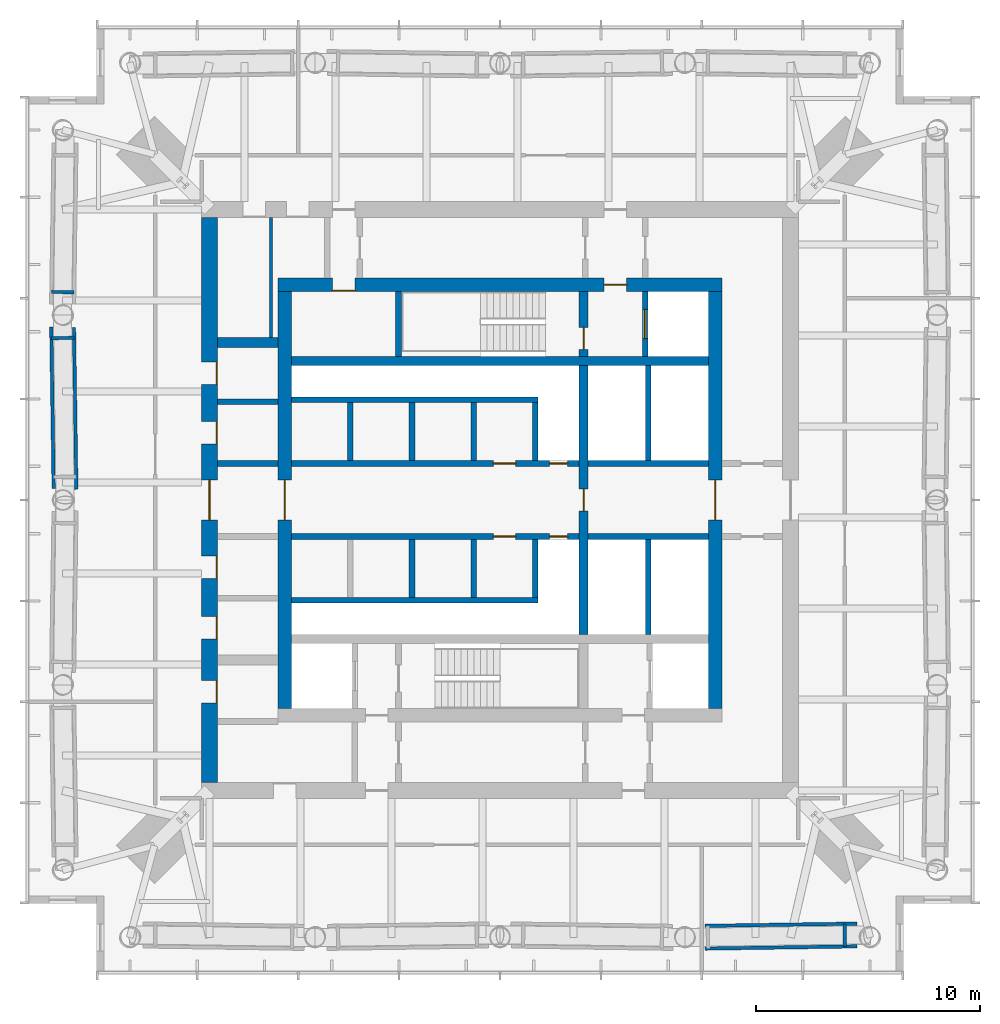
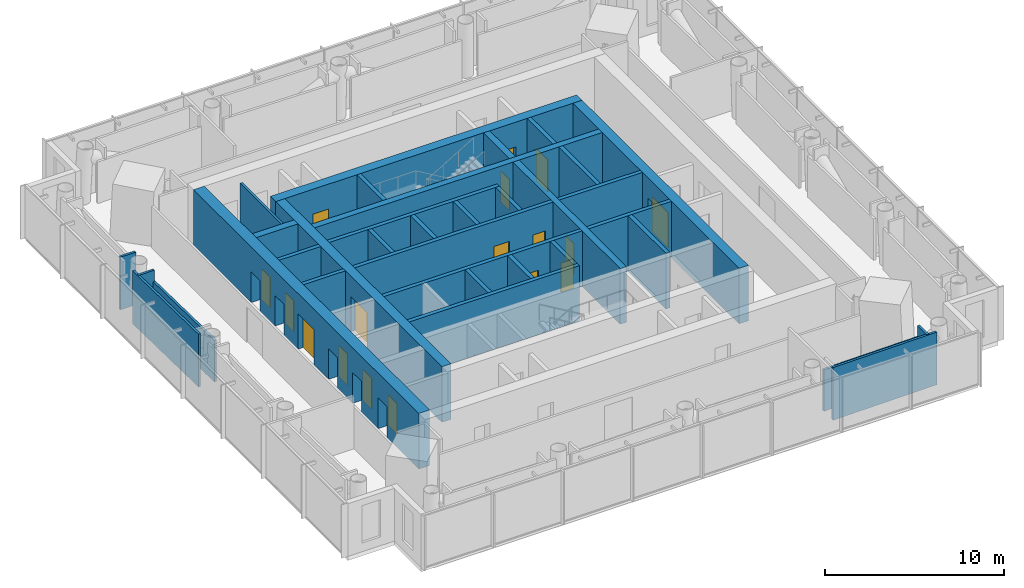
# One storey, part 6 of 9: 35 walls, 17 doors, 17 openings.
"""IFC4 building model written with IfcOpenShell, lengths in metres."""

from ifc_helpers import new_model, si_unit, direction, frame, frame_2d, origin, place, context, subcontext, project, spatial, rectangle, extrude, material, layer, layer_set, type_object, element, fill, save


model = new_model("IFC4")

# Units and contexts
model_context = context("Model", 3, precision=1e-05, world=origin(), true_north=direction((0.0, 1.0)))
body_context = subcontext(model_context, "Body", "Model", "MODEL_VIEW")
ifc_project = project(units=[si_unit("LENGTHUNIT", "METRE"), si_unit("AREAUNIT", "SQUARE_METRE"), si_unit("VOLUMEUNIT", "CUBIC_METRE"), si_unit("PLANEANGLEUNIT", "RADIAN"), si_unit("MASSUNIT", "GRAM", prefix="KILO")], contexts=[model_context])

# Site, building, storey
site_placement = place(None, origin())
site = spatial("IfcSite", under=ifc_project, at=site_placement, CompositionType="ELEMENT")
building_placement = place(site_placement, origin())
building = spatial("IfcBuilding", under=site, at=building_placement, Name="Ostroluk Exchange", CompositionType="ELEMENT")
storey_placement = place(building_placement, frame((0.0, 0.0, 161.60009765625)))
storey = spatial("IfcBuildingStorey", under=building, at=storey_placement, Name="L41", CompositionType="ELEMENT", Elevation=161.60009765625)

# Walls
ifc_material_1 = material(Name="Concrete blockwork", Category="masonry")
ifc_layer_1 = layer(ifc_material_1, 0.14990234375)
ifc_layer_set_1 = layer_set([ifc_layer_1], Name="Blockwork plant room wall 150")
wall_type_1 = type_object("IfcWallType", Name="Blockwork plant room wall 150", PredefinedType="SOLIDWALL", material=ifc_layer_set_1)
wall_1_placement = place(storey_placement, frame((34.78759765625, 53.25, 0.0), z_axis=(0.0, 0.0, 1.0), x_axis=(0.0, 1.0, 0.0)))
element("IfcWall", 1, at=wall_1_placement, inside=storey, type_object=wall_type_1, Name="Core room wall", PredefinedType="SOLIDWALL", context=body_context, shape_type="SweptSolid", body=[
    extrude(rectangle(XDim=5.35009765625, YDim=0.14990234375, at=frame_2d((2.675048828125, 0.0))), origin(), (0.0, 0.0, 1.0), 3.199951171875),
])
ifc_material_2 = material(Name="Concrete C50/60", Category="concrete")
ifc_layer_2 = layer(ifc_material_2, 0.39990234375)
ifc_layer_set_2 = layer_set([ifc_layer_2], Name="Core cross wall 400 C50/60")
wall_type_2 = type_object("IfcWallType", Name="Core cross wall 400 C50/60", PredefinedType="SHEAR", material=ifc_layer_set_2)
wall_2_placement = place(storey_placement, frame((35.699951171875, 52.199951171875, 0.0), z_axis=(0.0, 0.0, 1.0), x_axis=(1.0, 0.0, 0.0)))
element("IfcWall", 2, at=wall_2_placement, inside=storey, type_object=wall_type_2, Name="T1 core wall XN", PredefinedType="SHEAR", context=body_context, shape_type="SweptSolid", body=[
    extrude(rectangle(XDim=18.60009765625, YDim=0.39990234375, at=frame_2d((9.300048828125, 0.0))), origin(), (0.0, 0.0, 1.0), 3.7998046875),
])

# Wall, opening, door
wall_3_placement = place(storey_placement, frame((48.72998046875, 40.0, 0.0), z_axis=(0.0, 0.0, 1.0), x_axis=(0.0, 1.0, 0.0)))
wall_3 = element("IfcWall", 3, at=wall_3_placement, inside=storey, type_object=wall_type_2, Name="T1 core wall YE2", PredefinedType="SHEAR", context=body_context, shape_type="SweptSolid", body=[
    extrude(rectangle(XDim=12.0, YDim=0.39990234375, at=frame_2d((6.0, 0.0))), origin(), (0.0, 0.0, 1.0), 3.7998046875),
])
opening_1_placement = place(wall_3_placement, frame((5.5, 0.0, 0.0)))
opening_1 = element("IfcOpeningElement", 4, at=opening_1_placement, cuts=wall_3, Name="Opening FD60", PredefinedType="OPENING", context=body_context, shape_type="SweptSolid", body=[
    extrude(rectangle(XDim=1.0, YDim=2.10009765625, at=frame_2d((0.5, 1.050048828125))), frame((0.0, 0.2099609375, 0.0), z_axis=(0.0, -1.0, 0.0), x_axis=(1.0, 0.0, 0.0)), (0.0, 0.0, 1.0), 0.419921875),
])
ifc_material_3 = material(Name="Steel", Category="steel")
door_type_1 = type_object("IfcDoorType", Name="Fire door EI 60 1000 x 2100", OperationType="SINGLE_SWING_LEFT", PredefinedType="DOOR", material=ifc_material_3)
door_1_placement = place(opening_1_placement, origin())
door_1 = element("IfcDoor", 5, at=door_1_placement, inside=storey, type_object=door_type_1, Name="Core link door", OperationType="SINGLE_SWING_LEFT", OverallHeight=2.10009765625, OverallWidth=1.0, PredefinedType="DOOR", context=body_context, shape_type="SweptSolid", body=[
    extrude(rectangle(XDim=1.0, YDim=2.10009765625, at=frame_2d((0.5, 1.050048828125))), frame((0.0, 0.02490234375, 0.0), z_axis=(0.0, -1.0, 0.0), x_axis=(1.0, 0.0, 0.0)), (0.0, 0.0, 1.0), 0.050048828125),
])
fill(opening_1, door_1)

wall_4_placement = place(storey_placement, frame((48.72998046875, 52.39990234375, 0.0), z_axis=(0.0, 0.0, 1.0), x_axis=(0.0, 1.0, 0.0)))
wall_4 = element("IfcWall", 6, at=wall_4_placement, inside=storey, type_object=wall_type_2, Name="T1 core wall YE3", PredefinedType="SHEAR", context=body_context, shape_type="SweptSolid", body=[
    extrude(rectangle(XDim=2.900146484375, YDim=0.39990234375, at=frame_2d((1.4501953125, 0.0))), origin(), (0.0, 0.0, 1.0), 3.7998046875),
])
opening_2_placement = place(wall_4_placement, frame((0.300048828125, 0.0, 0.0)))
opening_2 = element("IfcOpeningElement", 7, at=opening_2_placement, cuts=wall_4, Name="Opening FD60", PredefinedType="OPENING", context=body_context, shape_type="SweptSolid", body=[
    extrude(rectangle(XDim=1.0, YDim=2.10009765625, at=frame_2d((0.5, 1.050048828125))), frame((0.0, 0.2099609375, 0.0), z_axis=(0.0, -1.0, 0.0), x_axis=(1.0, 0.0, 0.0)), (0.0, 0.0, 1.0), 0.419921875),
])
door_2_placement = place(opening_2_placement, origin())
door_2 = element("IfcDoor", 8, at=door_2_placement, inside=storey, type_object=door_type_1, Name="Stair T1-S2 door", OperationType="SINGLE_SWING_LEFT", OverallHeight=2.10009765625, OverallWidth=1.0, PredefinedType="DOOR", context=body_context, shape_type="SweptSolid", body=[
    extrude(rectangle(XDim=1.0, YDim=2.10009765625, at=frame_2d((0.5, 1.050048828125))), frame((0.0, 0.02490234375, 0.0), z_axis=(0.0, -1.0, 0.0), x_axis=(1.0, 0.0, 0.0)), (0.0, 0.0, 1.0), 0.050048828125),
])
fill(opening_2, door_2)

# Wall
ifc_material_4 = material(Name="Concrete C40/50", Category="concrete")
ifc_layer_3 = layer(ifc_material_4, 0.25)
ifc_layer_set_3 = layer_set([ifc_layer_3], Name="Core shaft wall 250")
wall_type_3 = type_object("IfcWallType", Name="Core shaft wall 250", PredefinedType="SHEAR", material=ifc_layer_set_3)
wall_5_placement = place(storey_placement, frame((40.47509765625, 52.39990234375, 0.0), z_axis=(0.0, 0.0, 1.0), x_axis=(0.0, 1.0, 0.0)))
element("IfcWall", 9, at=wall_5_placement, inside=storey, type_object=wall_type_3, Name="Stair shaft wall", PredefinedType="SHEAR", context=body_context, shape_type="SweptSolid", body=[
    extrude(rectangle(XDim=2.900146484375, YDim=0.25, at=frame_2d((1.4501953125, 0.0))), origin(), (0.0, 0.0, 1.0), 3.7998046875),
])

# Wall, opening, door
wall_6_placement = place(storey_placement, frame((51.47509765625, 52.39990234375, 0.0), z_axis=(0.0, 0.0, 1.0), x_axis=(0.0, 1.0, 0.0)))
wall_6 = element("IfcWall", 10, at=wall_6_placement, inside=storey, type_object=wall_type_3, Name="Firefighting lift shaft wall", PredefinedType="SHEAR", context=body_context, shape_type="SweptSolid", body=[
    extrude(rectangle(XDim=2.900146484375, YDim=0.25, at=frame_2d((1.4501953125, 0.0))), origin(), (0.0, 0.0, 1.0), 3.7998046875),
])
opening_3_placement = place(wall_6_placement, frame((0.800048828125, 0.0, 0.0)))
opening_3 = element("IfcOpeningElement", 11, at=opening_3_placement, cuts=wall_6, Name="Opening LD2", PredefinedType="OPENING", context=body_context, shape_type="SweptSolid", body=[
    extrude(rectangle(XDim=1.300048828125, YDim=2.199951171875, at=frame_2d((0.64990234375, 1.10009765625))), frame((0.0, 0.135009765625, 0.0), z_axis=(0.0, -1.0, 0.0), x_axis=(1.0, 0.0, 0.0)), (0.0, 0.0, 1.0), 0.27001953125),
])
ifc_material_5 = material(Name="Stainless steel", Category="steel")
door_type_2 = type_object("IfcDoorType", Name="Lift landing door E 60 1300 x 2200", OperationType="DOUBLE_DOOR_SLIDING", PredefinedType="DOOR", material=ifc_material_5)
door_3_placement = place(opening_3_placement, origin())
door_3 = element("IfcDoor", 12, at=door_3_placement, inside=storey, type_object=door_type_2, Name="Lift FL2 landing door", OperationType="DOUBLE_DOOR_SLIDING", OverallHeight=2.199951171875, OverallWidth=1.300048828125, PredefinedType="DOOR", context=body_context, shape_type="SweptSolid", body=[
    extrude(rectangle(XDim=1.300048828125, YDim=2.199951171875, at=frame_2d((0.64990234375, 1.10009765625))), frame((0.0, 0.02490234375, 0.0), z_axis=(0.0, -1.0, 0.0), x_axis=(1.0, 0.0, 0.0)), (0.0, 0.0, 1.0), 0.050048828125),
])
fill(opening_3, door_3)

# Walls
for number, where, z_axis, x_axis, name in (
    (13, (38.324951171875, 47.75, 0.0), (0.0, 0.0, 1.0), (0.0, 1.0, 0.0), "Lift shaft wall"),
    (14, (41.074951171875, 47.75, 0.0), (0.0, 0.0, 1.0), (0.0, 1.0, 0.0), "Lift shaft wall"),
    (15, (43.824951171875, 47.75, 0.0), (0.0, 0.0, 1.0), (0.0, 1.0, 0.0), "Lift shaft wall"),
    (16, (46.574951171875, 47.75, 0.0), (0.0, 0.0, 1.0), (0.0, 1.0, 0.0), "Lift shaft wall"),
):
    element("IfcWall", number, at=place(storey_placement, frame(where, z_axis=z_axis, x_axis=x_axis)), inside=storey, type_object=wall_type_3, Name=name, PredefinedType="SHEAR", context=body_context, shape_type="SweptSolid", body=[
        extrude(rectangle(XDim=2.60009765625, YDim=0.25, at=frame_2d((1.300048828125, 0.0))), origin(), (0.0, 0.0, 1.0), 3.7998046875),
    ])
wall_7_placement = place(storey_placement, frame((35.699951171875, 50.47509765625, 0.0), z_axis=(0.0, 0.0, 1.0), x_axis=(1.0, 0.0, 0.0)))
element("IfcWall", 17, at=wall_7_placement, inside=storey, type_object=wall_type_3, Name="Lift shaft wall", PredefinedType="SHEAR", context=body_context, shape_type="SweptSolid", body=[
    extrude(rectangle(XDim=11.0, YDim=0.25, at=frame_2d((5.5, 0.0))), origin(), (0.0, 0.0, 1.0), 3.7998046875),
])

# Wall, openings, doors
wall_8_placement = place(storey_placement, frame((35.699951171875, 47.625, 0.0), z_axis=(0.0, 0.0, 1.0), x_axis=(1.0, 0.0, 0.0)))
wall_8 = element("IfcWall", 18, at=wall_8_placement, inside=storey, type_object=wall_type_3, Name="Lift shaft front wall", PredefinedType="SHEAR", context=body_context, shape_type="SweptSolid", body=[
    extrude(rectangle(XDim=12.830078125, YDim=0.25, at=frame_2d((6.4150390625, 0.0))), origin(), (0.0, 0.0, 1.0), 3.7998046875),
])
opening_4_placement = place(wall_8_placement, frame((9.0, 0.0, 0.0)))
opening_4 = element("IfcOpeningElement", 19, at=opening_4_placement, cuts=wall_8, Name="Opening FD60", PredefinedType="OPENING", context=body_context, shape_type="SweptSolid", body=[
    extrude(rectangle(XDim=1.0, YDim=2.10009765625, at=frame_2d((0.5, 1.050048828125))), frame((0.0, 0.135009765625, 0.0), z_axis=(0.0, -1.0, 0.0), x_axis=(1.0, 0.0, 0.0)), (0.0, 0.0, 1.0), 0.27001953125),
])
opening_5_placement = place(wall_8_placement, frame((11.514892578125, 0.0, 0.0)))
opening_5 = element("IfcOpeningElement", 20, at=opening_5_placement, cuts=wall_8, Name="Opening RD60", PredefinedType="OPENING", context=body_context, shape_type="SweptSolid", body=[
    extrude(rectangle(XDim=0.800048828125, YDim=2.0, at=frame_2d((0.39990234375, 1.0))), frame((0.0, 0.135009765625, 0.0), z_axis=(0.0, -1.0, 0.0), x_axis=(1.0, 0.0, 0.0)), (0.0, 0.0, 1.0), 0.27001953125),
])
door_4_placement = place(opening_4_placement, origin())
door_4 = element("IfcDoor", 21, at=door_4_placement, inside=storey, type_object=door_type_1, Name="Core room door", OperationType="SINGLE_SWING_RIGHT", OverallHeight=2.10009765625, OverallWidth=1.0, PredefinedType="DOOR", context=body_context, shape_type="SweptSolid", body=[
    extrude(rectangle(XDim=1.0, YDim=2.10009765625, at=frame_2d((0.5, 1.050048828125))), frame((0.0, 0.02490234375, 0.0), z_axis=(0.0, -1.0, 0.0), x_axis=(1.0, 0.0, 0.0)), (0.0, 0.0, 1.0), 0.050048828125),
])
fill(opening_4, door_4)
ifc_material_6 = material(Name="Steel", Category="steel")
door_type_3 = type_object("IfcDoorType", Name="Riser access door EI 60 800 x 2000", OperationType="SINGLE_SWING_LEFT", PredefinedType="DOOR", material=ifc_material_6)
door_5_placement = place(opening_5_placement, origin())
door_5 = element("IfcDoor", 22, at=door_5_placement, inside=storey, type_object=door_type_3, Name="Riser access door", OperationType="SINGLE_SWING_RIGHT", OverallHeight=2.0, OverallWidth=0.800048828125, PredefinedType="DOOR", context=body_context, shape_type="SweptSolid", body=[
    extrude(rectangle(XDim=0.800048828125, YDim=2.0, at=frame_2d((0.39990234375, 1.0))), frame((0.0, 0.02490234375, 0.0), z_axis=(0.0, -1.0, 0.0), x_axis=(1.0, 0.0, 0.0)), (0.0, 0.0, 1.0), 0.050048828125),
])
fill(opening_5, door_5)

# Walls
for number, where, z_axis, x_axis, name in (
    (23, (41.074951171875, 44.25, 0.0), (0.0, 0.0, 1.0), (0.0, -1.0, 0.0), "Lift shaft wall"),
    (24, (43.824951171875, 44.25, 0.0), (0.0, 0.0, 1.0), (0.0, -1.0, 0.0), "Lift shaft wall"),
    (25, (46.574951171875, 44.25, 0.0), (0.0, 0.0, 1.0), (0.0, -1.0, 0.0), "Lift shaft wall"),
):
    element("IfcWall", number, at=place(storey_placement, frame(where, z_axis=z_axis, x_axis=x_axis)), inside=storey, type_object=wall_type_3, Name=name, PredefinedType="SHEAR", context=body_context, shape_type="SweptSolid", body=[
        extrude(rectangle(XDim=2.60009765625, YDim=0.25, at=frame_2d((1.300048828125, 0.0))), origin(), (0.0, 0.0, 1.0), 3.7998046875),
    ])
wall_9_placement = place(storey_placement, frame((35.699951171875, 41.52490234375, 0.0), z_axis=(0.0, 0.0, 1.0), x_axis=(1.0, 0.0, 0.0)))
element("IfcWall", 26, at=wall_9_placement, inside=storey, type_object=wall_type_3, Name="Lift shaft wall", PredefinedType="SHEAR", context=body_context, shape_type="SweptSolid", body=[
    extrude(rectangle(XDim=11.0, YDim=0.25, at=frame_2d((5.5, 0.0))), origin(), (0.0, 0.0, 1.0), 3.7998046875),
])

# Wall, openings, doors
wall_10_placement = place(storey_placement, frame((35.699951171875, 44.375, 0.0), z_axis=(0.0, 0.0, 1.0), x_axis=(1.0, 0.0, 0.0)))
wall_10 = element("IfcWall", 27, at=wall_10_placement, inside=storey, type_object=wall_type_3, Name="Lift shaft front wall", PredefinedType="SHEAR", context=body_context, shape_type="SweptSolid", body=[
    extrude(rectangle(XDim=12.830078125, YDim=0.25, at=frame_2d((6.4150390625, 0.0))), origin(), (0.0, 0.0, 1.0), 3.7998046875),
])
opening_6_placement = place(wall_10_placement, frame((9.0, 0.0, 0.0)))
opening_6 = element("IfcOpeningElement", 28, at=opening_6_placement, cuts=wall_10, Name="Opening FD60", PredefinedType="OPENING", context=body_context, shape_type="SweptSolid", body=[
    extrude(rectangle(XDim=1.0, YDim=2.10009765625, at=frame_2d((0.5, 1.050048828125))), frame((0.0, 0.135009765625, 0.0), z_axis=(0.0, -1.0, 0.0), x_axis=(1.0, 0.0, 0.0)), (0.0, 0.0, 1.0), 0.27001953125),
])
opening_7_placement = place(wall_10_placement, frame((11.514892578125, 0.0, 0.0)))
opening_7 = element("IfcOpeningElement", 29, at=opening_7_placement, cuts=wall_10, Name="Opening RD60", PredefinedType="OPENING", context=body_context, shape_type="SweptSolid", body=[
    extrude(rectangle(XDim=0.800048828125, YDim=2.0, at=frame_2d((0.39990234375, 1.0))), frame((0.0, 0.135009765625, 0.0), z_axis=(0.0, -1.0, 0.0), x_axis=(1.0, 0.0, 0.0)), (0.0, 0.0, 1.0), 0.27001953125),
])
door_6_placement = place(opening_6_placement, origin())
door_6 = element("IfcDoor", 30, at=door_6_placement, inside=storey, type_object=door_type_1, Name="Core room door", OperationType="SINGLE_SWING_RIGHT", OverallHeight=2.10009765625, OverallWidth=1.0, PredefinedType="DOOR", context=body_context, shape_type="SweptSolid", body=[
    extrude(rectangle(XDim=1.0, YDim=2.10009765625, at=frame_2d((0.5, 1.050048828125))), frame((0.0, 0.02490234375, 0.0), z_axis=(0.0, -1.0, 0.0), x_axis=(1.0, 0.0, 0.0)), (0.0, 0.0, 1.0), 0.050048828125),
])
fill(opening_6, door_6)
door_7_placement = place(opening_7_placement, origin())
door_7 = element("IfcDoor", 31, at=door_7_placement, inside=storey, type_object=door_type_3, Name="Riser access door", OperationType="SINGLE_SWING_RIGHT", OverallHeight=2.0, OverallWidth=0.800048828125, PredefinedType="DOOR", context=body_context, shape_type="SweptSolid", body=[
    extrude(rectangle(XDim=0.800048828125, YDim=2.0, at=frame_2d((0.39990234375, 1.0))), frame((0.0, 0.02490234375, 0.0), z_axis=(0.0, -1.0, 0.0), x_axis=(1.0, 0.0, 0.0)), (0.0, 0.0, 1.0), 0.050048828125),
])
fill(opening_7, door_7)

# Walls
wall_11_placement = place(storey_placement, frame((51.614990234375, 47.75, 0.0), z_axis=(0.0, 0.0, 1.0), x_axis=(0.0, 1.0, 0.0)))
element("IfcWall", 32, at=wall_11_placement, inside=storey, type_object=wall_type_3, Name="Lift shaft wall", PredefinedType="SHEAR", context=body_context, shape_type="SweptSolid", body=[
    extrude(rectangle(XDim=4.25, YDim=0.25, at=frame_2d((2.125, 0.0))), origin(), (0.0, 0.0, 1.0), 3.7998046875),
])
wall_12_placement = place(storey_placement, frame((48.929931640625, 47.625, 0.0), z_axis=(0.0, 0.0, 1.0), x_axis=(1.0, 0.0, 0.0)))
element("IfcWall", 33, at=wall_12_placement, inside=storey, type_object=wall_type_3, Name="Lift shaft front wall", PredefinedType="SHEAR", context=body_context, shape_type="SweptSolid", body=[
    extrude(rectangle(XDim=5.3701171875, YDim=0.25, at=frame_2d((2.68505859375, 0.0))), origin(), (0.0, 0.0, 1.0), 3.7998046875),
])
wall_13_placement = place(storey_placement, frame((51.614990234375, 44.25, 0.0), z_axis=(0.0, 0.0, 1.0), x_axis=(0.0, -1.0, 0.0)))
element("IfcWall", 34, at=wall_13_placement, inside=storey, type_object=wall_type_3, Name="Lift shaft wall", PredefinedType="SHEAR", context=body_context, shape_type="SweptSolid", body=[
    extrude(rectangle(XDim=4.25, YDim=0.25, at=frame_2d((2.125, 0.0))), origin(), (0.0, 0.0, 1.0), 3.7998046875),
])
wall_14_placement = place(storey_placement, frame((48.929931640625, 44.375, 0.0), z_axis=(0.0, 0.0, 1.0), x_axis=(1.0, 0.0, 0.0)))
element("IfcWall", 35, at=wall_14_placement, inside=storey, type_object=wall_type_3, Name="Lift shaft front wall", PredefinedType="SHEAR", context=body_context, shape_type="SweptSolid", body=[
    extrude(rectangle(XDim=5.3701171875, YDim=0.25, at=frame_2d((2.68505859375, 0.0))), origin(), (0.0, 0.0, 1.0), 3.7998046875),
])
for number, where, z_axis, x_axis, name in (
    (36, (32.39990234375, 47.625, 0.0), (0.0, 0.0, 1.0), (1.0, 0.0, 0.0), "Lift shaft wall"),
    (37, (32.39990234375, 50.375, 0.0), (0.0, 0.0, 1.0), (1.0, 0.0, 0.0), "Lift shaft wall"),
):
    element("IfcWall", number, at=place(storey_placement, frame(where, z_axis=z_axis, x_axis=x_axis)), inside=storey, type_object=wall_type_3, Name=name, PredefinedType="SHEAR", context=body_context, shape_type="SweptSolid", body=[
        extrude(rectangle(XDim=2.7001953125, YDim=0.25, at=frame_2d((1.35009765625, 0.0))), origin(), (0.0, 0.0, 1.0), 3.7998046875),
    ])
wall_15_placement = place(storey_placement, frame((32.39990234375, 53.02490234375, 0.0), z_axis=(0.0, 0.0, 1.0), x_axis=(1.0, 0.0, 0.0)))
element("IfcWall", 38, at=wall_15_placement, inside=storey, type_object=wall_type_3, Name="Lift shaft wall", PredefinedType="SHEAR", context=body_context, shape_type="SweptSolid", body=[
    extrude(rectangle(XDim=2.7001953125, YDim=0.449951171875, at=frame_2d((1.35009765625, 0.0))), origin(), (0.0, 0.0, 1.0), 3.7998046875),
])

# Wall, openings, doors
ifc_material_7 = material(Name="Concrete C50/60", Category="concrete")
ifc_layer_4 = layer(ifc_material_7, 0.60009765625)
ifc_layer_set_4 = layer_set([ifc_layer_4], Name="Core wall 600 C50/60")
wall_type_4 = type_object("IfcWallType", Name="Core wall 600 C50/60", PredefinedType="SHEAR", material=ifc_layer_set_4)
wall_16_placement = place(storey_placement, frame((35.10009765625, 55.60009765625, 0.0), z_axis=(0.0, 0.0, 1.0), x_axis=(1.0, 0.0, 0.0)))
wall_16 = element("IfcWall", 39, at=wall_16_placement, inside=storey, type_object=wall_type_4, Name="T1 core wall N", PredefinedType="SHEAR", context=body_context, shape_type="SweptSolid", body=[
    extrude(rectangle(XDim=19.7998046875, YDim=0.60009765625, at=frame_2d((9.89990234375, 0.0))), origin(), (0.0, 0.0, 1.0), 3.7998046875),
])
opening_8_placement = place(wall_16_placement, frame((14.5400390625, 0.0, 0.0)))
opening_8 = element("IfcOpeningElement", 40, at=opening_8_placement, cuts=wall_16, Name="Opening FD60", PredefinedType="OPENING", context=body_context, shape_type="SweptSolid", body=[
    extrude(rectangle(XDim=1.0, YDim=2.10009765625, at=frame_2d((0.5, 1.050048828125))), frame((0.0, 0.31005859375, 0.0), z_axis=(0.0, -1.0, 0.0), x_axis=(1.0, 0.0, 0.0)), (0.0, 0.0, 1.0), 0.6201171875),
])
opening_9_placement = place(wall_16_placement, frame((2.425048828125, 0.0, 0.0)))
opening_9 = element("IfcOpeningElement", 41, at=opening_9_placement, cuts=wall_16, Name="Opening FD60", PredefinedType="OPENING", context=body_context, shape_type="SweptSolid", body=[
    extrude(rectangle(XDim=1.0, YDim=2.10009765625, at=frame_2d((0.5, 1.050048828125))), frame((0.0, 0.31005859375, 0.0), z_axis=(0.0, -1.0, 0.0), x_axis=(1.0, 0.0, 0.0)), (0.0, 0.0, 1.0), 0.6201171875),
])
door_8_placement = place(opening_8_placement, origin())
door_8 = element("IfcDoor", 42, at=door_8_placement, inside=storey, type_object=door_type_1, Name="Firefighting lobby door", OperationType="SINGLE_SWING_RIGHT", OverallHeight=2.10009765625, OverallWidth=1.0, PredefinedType="DOOR", context=body_context, shape_type="SweptSolid", body=[
    extrude(rectangle(XDim=1.0, YDim=2.10009765625, at=frame_2d((0.5, 1.050048828125))), frame((0.0, 0.02490234375, 0.0), z_axis=(0.0, -1.0, 0.0), x_axis=(1.0, 0.0, 0.0)), (0.0, 0.0, 1.0), 0.050048828125),
])
fill(opening_8, door_8)
door_9_placement = place(opening_9_placement, origin())
door_9 = element("IfcDoor", 43, at=door_9_placement, inside=storey, type_object=door_type_1, Name="Plant control room door", OperationType="SINGLE_SWING_LEFT", OverallHeight=2.10009765625, OverallWidth=1.0, PredefinedType="DOOR", context=body_context, shape_type="SweptSolid", body=[
    extrude(rectangle(XDim=1.0, YDim=2.10009765625, at=frame_2d((0.5, 1.050048828125))), frame((0.0, -0.23974609375, 0.0), z_axis=(0.0, -1.0, 0.0), x_axis=(1.0, 0.0, 0.0)), (0.0, 0.0, 1.0), 0.050048828125),
])
fill(opening_9, door_9)

# Wall, opening, door
wall_17_placement = place(storey_placement, frame((35.39990234375, 36.699951171875, 0.0), z_axis=(0.0, 0.0, 1.0), x_axis=(0.0, 1.0, 0.0)))
wall_17 = element("IfcWall", 44, at=wall_17_placement, inside=storey, type_object=wall_type_4, Name="T1 core wall W", PredefinedType="SHEAR", context=body_context, shape_type="SweptSolid", body=[
    extrude(rectangle(XDim=18.60009765625, YDim=0.60009765625, at=frame_2d((9.300048828125, 0.0))), origin(), (0.0, 0.0, 1.0), 3.7998046875),
])
opening_10_placement = place(wall_17_placement, frame((8.39990234375, 0.0, 0.0)))
opening_10 = element("IfcOpeningElement", 45, at=opening_10_placement, cuts=wall_17, Name="Opening FD30D", PredefinedType="OPENING", context=body_context, shape_type="SweptSolid", body=[
    extrude(rectangle(XDim=1.800048828125, YDim=2.39990234375, at=frame_2d((0.89990234375, 1.199951171875))), frame((0.0, 0.31005859375, 0.0), z_axis=(0.0, -1.0, 0.0), x_axis=(1.0, 0.0, 0.0)), (0.0, 0.0, 1.0), 0.6201171875),
])
ifc_material_8 = material(Name="Timber", Category="wood")
door_type_4 = type_object("IfcDoorType", Name="Lobby double door EI 30 1800 x 2400", OperationType="DOUBLE_DOOR_SINGLE_SWING", PredefinedType="DOOR", material=ifc_material_8)
door_10_placement = place(opening_10_placement, origin())
door_10 = element("IfcDoor", 46, at=door_10_placement, inside=storey, type_object=door_type_4, Name="Lift lobby doors", OperationType="DOUBLE_DOOR_SINGLE_SWING", OverallHeight=2.39990234375, OverallWidth=1.800048828125, PredefinedType="DOOR", context=body_context, shape_type="SweptSolid", body=[
    extrude(rectangle(XDim=1.800048828125, YDim=2.39990234375, at=frame_2d((0.89990234375, 1.199951171875))), frame((0.0, 0.02490234375, 0.0), z_axis=(0.0, -1.0, 0.0), x_axis=(1.0, 0.0, 0.0)), (0.0, 0.0, 1.0), 0.050048828125),
])
fill(opening_10, door_10)

wall_18_placement = place(storey_placement, frame((54.60009765625, 36.699951171875, 0.0), z_axis=(0.0, 0.0, 1.0), x_axis=(0.0, 1.0, 0.0)))
wall_18 = element("IfcWall", 47, at=wall_18_placement, inside=storey, type_object=wall_type_4, Name="T1 core wall E", PredefinedType="SHEAR", context=body_context, shape_type="SweptSolid", body=[
    extrude(rectangle(XDim=18.60009765625, YDim=0.60009765625, at=frame_2d((9.300048828125, 0.0))), origin(), (0.0, 0.0, 1.0), 3.7998046875),
])
opening_11_placement = place(wall_18_placement, frame((8.39990234375, 0.0, 0.0)))
opening_11 = element("IfcOpeningElement", 48, at=opening_11_placement, cuts=wall_18, Name="Opening FD30D", PredefinedType="OPENING", context=body_context, shape_type="SweptSolid", body=[
    extrude(rectangle(XDim=1.800048828125, YDim=2.39990234375, at=frame_2d((0.89990234375, 1.199951171875))), frame((0.0, 0.31005859375, 0.0), z_axis=(0.0, -1.0, 0.0), x_axis=(1.0, 0.0, 0.0)), (0.0, 0.0, 1.0), 0.6201171875),
])
door_11_placement = place(opening_11_placement, origin())
door_11 = element("IfcDoor", 49, at=door_11_placement, inside=storey, type_object=door_type_4, Name="Lift lobby doors", OperationType="DOUBLE_DOOR_SINGLE_SWING", OverallHeight=2.39990234375, OverallWidth=1.800048828125, PredefinedType="DOOR", context=body_context, shape_type="SweptSolid", body=[
    extrude(rectangle(XDim=1.800048828125, YDim=2.39990234375, at=frame_2d((0.89990234375, 1.199951171875))), frame((0.0, 0.02490234375, 0.0), z_axis=(0.0, -1.0, 0.0), x_axis=(1.0, 0.0, 0.0)), (0.0, 0.0, 1.0), 0.050048828125),
])
fill(opening_11, door_11)

# Wall, openings, doors
ifc_material_9 = material(Name="Concrete C50/60", Category="concrete")
ifc_layer_5 = layer(ifc_material_9, 0.699951171875)
ifc_layer_set_5 = layer_set([ifc_layer_5], Name="Core wall 700 C50/60")
wall_type_5 = type_object("IfcWallType", Name="Core wall 700 C50/60", PredefinedType="SHEAR", material=ifc_layer_set_5)
wall_19_placement = place(storey_placement, frame((32.050048828125, 33.39990234375, 0.0), z_axis=(0.0, 0.0, 1.0), x_axis=(0.0, 1.0, 0.0)))
wall_19 = element("IfcWall", 50, at=wall_19_placement, inside=storey, type_object=wall_type_5, Name="T1 core wall RW", PredefinedType="SHEAR", context=body_context, shape_type="SweptSolid", body=[
    extrude(rectangle(XDim=25.2001953125, YDim=0.699951171875, at=frame_2d((12.60009765625, 0.0))), origin(), (0.0, 0.0, 1.0), 3.7998046875),
])
opening_12_placement = place(wall_19_placement, frame((11.699951171875, 0.0, 0.0)))
opening_12 = element("IfcOpeningElement", 51, at=opening_12_placement, cuts=wall_19, Name="Opening FD30D", PredefinedType="OPENING", context=body_context, shape_type="SweptSolid", body=[
    extrude(rectangle(XDim=1.800048828125, YDim=2.39990234375, at=frame_2d((0.89990234375, 1.199951171875))), frame((0.0, 0.35986328125, 0.0), z_axis=(0.0, -1.0, 0.0), x_axis=(1.0, 0.0, 0.0)), (0.0, 0.0, 1.0), 0.719970703125),
])
opening_13_placement = place(wall_19_placement, frame((3.550048828125, 0.0, 0.0)))
opening_13 = element("IfcOpeningElement", 52, at=opening_13_placement, cuts=wall_19, Name="Opening FD60", PredefinedType="OPENING", context=body_context, shape_type="SweptSolid", body=[
    extrude(rectangle(XDim=1.0, YDim=2.10009765625, at=frame_2d((0.5, 1.050048828125))), frame((0.0, 0.35986328125, 0.0), z_axis=(0.0, -1.0, 0.0), x_axis=(1.0, 0.0, 0.0)), (0.0, 0.0, 1.0), 0.719970703125),
])
opening_14_placement = place(wall_19_placement, frame((6.39990234375, 0.0, 0.0)))
opening_14 = element("IfcOpeningElement", 53, at=opening_14_placement, cuts=wall_19, Name="Opening FD60", PredefinedType="OPENING", context=body_context, shape_type="SweptSolid", body=[
    extrude(rectangle(XDim=1.0, YDim=2.10009765625, at=frame_2d((0.5, 1.050048828125))), frame((0.0, 0.35986328125, 0.0), z_axis=(0.0, -1.0, 0.0), x_axis=(1.0, 0.0, 0.0)), (0.0, 0.0, 1.0), 0.719970703125),
])
opening_15_placement = place(wall_19_placement, frame((9.10009765625, 0.0, 0.0)))
opening_15 = element("IfcOpeningElement", 54, at=opening_15_placement, cuts=wall_19, Name="Opening FD60", PredefinedType="OPENING", context=body_context, shape_type="SweptSolid", body=[
    extrude(rectangle(XDim=1.0, YDim=2.10009765625, at=frame_2d((0.5, 1.050048828125))), frame((0.0, 0.35986328125, 0.0), z_axis=(0.0, -1.0, 0.0), x_axis=(1.0, 0.0, 0.0)), (0.0, 0.0, 1.0), 0.719970703125),
])
opening_16_placement = place(wall_19_placement, frame((15.10009765625, 0.0, 0.0)))
opening_16 = element("IfcOpeningElement", 55, at=opening_16_placement, cuts=wall_19, Name="Opening FD60", PredefinedType="OPENING", context=body_context, shape_type="SweptSolid", body=[
    extrude(rectangle(XDim=1.0, YDim=2.10009765625, at=frame_2d((0.5, 1.050048828125))), frame((0.0, 0.35986328125, 0.0), z_axis=(0.0, -1.0, 0.0), x_axis=(1.0, 0.0, 0.0)), (0.0, 0.0, 1.0), 0.719970703125),
])
opening_17_placement = place(wall_19_placement, frame((17.75, 0.0, 0.0)))
opening_17 = element("IfcOpeningElement", 56, at=opening_17_placement, cuts=wall_19, Name="Opening FD60", PredefinedType="OPENING", context=body_context, shape_type="SweptSolid", body=[
    extrude(rectangle(XDim=1.0, YDim=2.10009765625, at=frame_2d((0.5, 1.050048828125))), frame((0.0, 0.35986328125, 0.0), z_axis=(0.0, -1.0, 0.0), x_axis=(1.0, 0.0, 0.0)), (0.0, 0.0, 1.0), 0.719970703125),
])
door_12_placement = place(opening_13_placement, origin())
door_12 = element("IfcDoor", 57, at=door_12_placement, inside=storey, type_object=door_type_1, Name="Electrical switch room door", OperationType="SINGLE_SWING_LEFT", OverallHeight=2.10009765625, OverallWidth=1.0, PredefinedType="DOOR", context=body_context, shape_type="SweptSolid", body=[
    extrude(rectangle(XDim=1.0, YDim=2.10009765625, at=frame_2d((0.5, 1.050048828125))), frame((0.0, -0.2900390625, 0.0), z_axis=(0.0, -1.0, 0.0), x_axis=(1.0, 0.0, 0.0)), (0.0, 0.0, 1.0), 0.050048828125),
])
fill(opening_13, door_12)
door_13_placement = place(opening_14_placement, origin())
door_13 = element("IfcDoor", 58, at=door_13_placement, inside=storey, type_object=door_type_1, Name="Cleaner's store door", OperationType="SINGLE_SWING_LEFT", OverallHeight=2.10009765625, OverallWidth=1.0, PredefinedType="DOOR", context=body_context, shape_type="SweptSolid", body=[
    extrude(rectangle(XDim=1.0, YDim=2.10009765625, at=frame_2d((0.5, 1.050048828125))), frame((0.0, -0.2900390625, 0.0), z_axis=(0.0, -1.0, 0.0), x_axis=(1.0, 0.0, 0.0)), (0.0, 0.0, 1.0), 0.050048828125),
])
fill(opening_14, door_13)
door_14_placement = place(opening_15_placement, origin())
door_14 = element("IfcDoor", 59, at=door_14_placement, inside=storey, type_object=door_type_1, Name="Electrical switch room door", OperationType="SINGLE_SWING_LEFT", OverallHeight=2.10009765625, OverallWidth=1.0, PredefinedType="DOOR", context=body_context, shape_type="SweptSolid", body=[
    extrude(rectangle(XDim=1.0, YDim=2.10009765625, at=frame_2d((0.5, 1.050048828125))), frame((0.0, -0.2900390625, 0.0), z_axis=(0.0, -1.0, 0.0), x_axis=(1.0, 0.0, 0.0)), (0.0, 0.0, 1.0), 0.050048828125),
])
fill(opening_15, door_14)
door_15_placement = place(opening_16_placement, origin())
door_15 = element("IfcDoor", 60, at=door_15_placement, inside=storey, type_object=door_type_1, Name="Cleaner's store door", OperationType="SINGLE_SWING_RIGHT", OverallHeight=2.10009765625, OverallWidth=1.0, PredefinedType="DOOR", context=body_context, shape_type="SweptSolid", body=[
    extrude(rectangle(XDim=1.0, YDim=2.10009765625, at=frame_2d((0.5, 1.050048828125))), frame((0.0, -0.2900390625, 0.0), z_axis=(0.0, -1.0, 0.0), x_axis=(1.0, 0.0, 0.0)), (0.0, 0.0, 1.0), 0.050048828125),
])
fill(opening_16, door_15)
door_16_placement = place(opening_17_placement, origin())
door_16 = element("IfcDoor", 61, at=door_16_placement, inside=storey, type_object=door_type_1, Name="Electrical switch room door", OperationType="SINGLE_SWING_RIGHT", OverallHeight=2.10009765625, OverallWidth=1.0, PredefinedType="DOOR", context=body_context, shape_type="SweptSolid", body=[
    extrude(rectangle(XDim=1.0, YDim=2.10009765625, at=frame_2d((0.5, 1.050048828125))), frame((0.0, -0.2900390625, 0.0), z_axis=(0.0, -1.0, 0.0), x_axis=(1.0, 0.0, 0.0)), (0.0, 0.0, 1.0), 0.050048828125),
])
fill(opening_17, door_16)
door_17_placement = place(opening_12_placement, origin())
door_17 = element("IfcDoor", 62, at=door_17_placement, inside=storey, type_object=door_type_4, Name="Lift lobby doors", OperationType="DOUBLE_DOOR_SINGLE_SWING", OverallHeight=2.39990234375, OverallWidth=1.800048828125, PredefinedType="DOOR", context=body_context, shape_type="SweptSolid", body=[
    extrude(rectangle(XDim=1.800048828125, YDim=2.39990234375, at=frame_2d((0.89990234375, 1.199951171875))), frame((0.0, 0.02490234375, 0.0), z_axis=(0.0, -1.0, 0.0), x_axis=(1.0, 0.0, 0.0)), (0.0, 0.0, 1.0), 0.050048828125),
])
fill(opening_12, door_17)

# Walls
ifc_material_10 = material(Name="Gypsum plasterboard partition", Category="gypsum")
ifc_layer_6 = layer(ifc_material_10, 0.14990234375)
ifc_layer_set_6 = layer_set([ifc_layer_6], Name="Plasterboard partition 150")
wall_type_6 = type_object("IfcWallType", Name="Plasterboard partition 150", PredefinedType="PARTITIONING", material=ifc_layer_set_6)
wall_20_placement = place(storey_placement, frame((25.100341796875, 46.50439453125, 0.0), z_axis=(0.0, 0.0, 1.0), x_axis=(-0.014716727824, 0.999891703097, 0.0)))
element("IfcWall", 63, at=wall_20_placement, inside=storey, type_object=wall_type_6, Name="Partition", PredefinedType="PARTITIONING", context=body_context, shape_type="SweptSolid", body=[
    extrude(rectangle(XDim=7.21630859375, YDim=0.14990234375, at=frame_2d((3.608154296875, 0.0))), origin(), (0.0, 0.0, 1.0), 3.599853515625),
])
wall_21_placement = place(storey_placement, frame((25.001708984375, 53.21435546875, 0.0), z_axis=(0.0, 0.0, 1.0), x_axis=(0.999891886048, 0.014704292442, 0.0)))
element("IfcWall", 64, at=wall_21_placement, inside=storey, type_object=wall_type_6, Name="Partition", PredefinedType="PARTITIONING", context=body_context, shape_type="SweptSolid", body=[
    extrude(rectangle(XDim=1.0126953125, YDim=0.14990234375, at=frame_2d((0.50634765625, 0.0))), origin(), (0.0, 0.0, 1.0), 3.599853515625),
])
wall_22_placement = place(storey_placement, frame((26.0078125, 53.689208984375, 0.0), z_axis=(0.0, 0.0, 1.0), x_axis=(0.014694336383, -0.999892032411, 0.0)))
element("IfcWall", 65, at=wall_22_placement, inside=storey, type_object=wall_type_6, Name="Partition", PredefinedType="PARTITIONING", context=body_context, shape_type="SweptSolid", body=[
    extrude(rectangle(XDim=7.210693359375, YDim=0.14990234375, at=frame_2d((3.60546875, 0.0))), origin(), (0.0, 0.0, 1.0), 2.829833984375),
])
for number, where, z_axis, x_axis, name in (
    (66, (26.014404296875, 55.262451171875, 0.0), (0.0, 0.0, 1.0), (-0.999888312871, 0.014945293008, 0.0), "Partition"),
    (67, (60.361572265625, 27.10546875, 0.0), (0.0, 0.0, 1.0), (0.014945293008, -0.999888312871, 0.0), "Partition"),
):
    element("IfcWall", number, at=place(storey_placement, frame(where, z_axis=z_axis, x_axis=x_axis)), inside=storey, type_object=wall_type_6, Name=name, PredefinedType="PARTITIONING", context=body_context, shape_type="SweptSolid", body=[
        extrude(rectangle(XDim=1.0126953125, YDim=0.14990234375, at=frame_2d((0.50634765625, 0.0))), origin(), (0.0, 0.0, 1.0), 3.599853515625),
    ])
wall_23_placement = place(storey_placement, frame((60.916748046875, 26.100830078125, 0.0), z_axis=(0.0, 0.0, 1.0), x_axis=(-0.999888466436, -0.014935015518, 0.0)))
element("IfcWall", 68, at=wall_23_placement, inside=storey, type_object=wall_type_6, Name="Partition", PredefinedType="PARTITIONING", context=body_context, shape_type="SweptSolid", body=[
    extrude(rectangle(XDim=6.767578125, YDim=0.14990234375, at=frame_2d((3.3837890625, 0.0))), origin(), (0.0, 0.0, 1.0), 3.599853515625),
])
wall_24_placement = place(storey_placement, frame((54.14990234375, 27.0126953125, 0.0), z_axis=(0.0, 0.0, 1.0), x_axis=(0.999888297263, 0.014946337199, 0.0)))
element("IfcWall", 69, at=wall_24_placement, inside=storey, type_object=wall_type_6, Name="Partition", PredefinedType="PARTITIONING", context=body_context, shape_type="SweptSolid", body=[
    extrude(rectangle(XDim=6.762451171875, YDim=0.14990234375, at=frame_2d((3.38134765625, 0.0))), origin(), (0.0, 0.0, 1.0), 2.829833984375),
])

save(model, "model.ifc")
